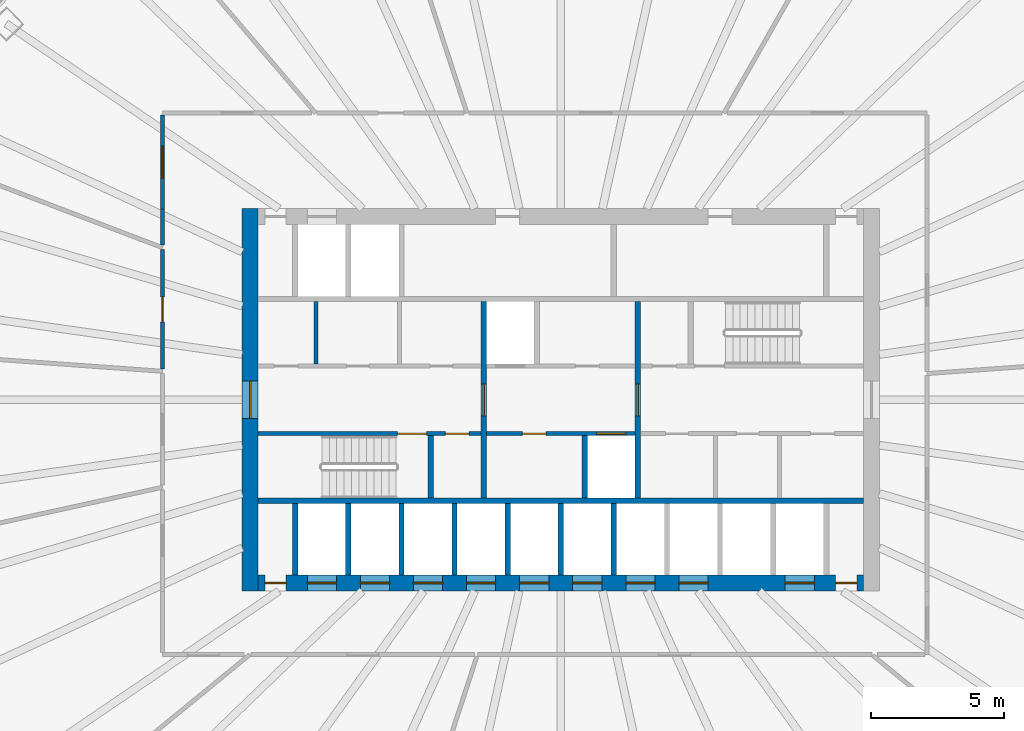
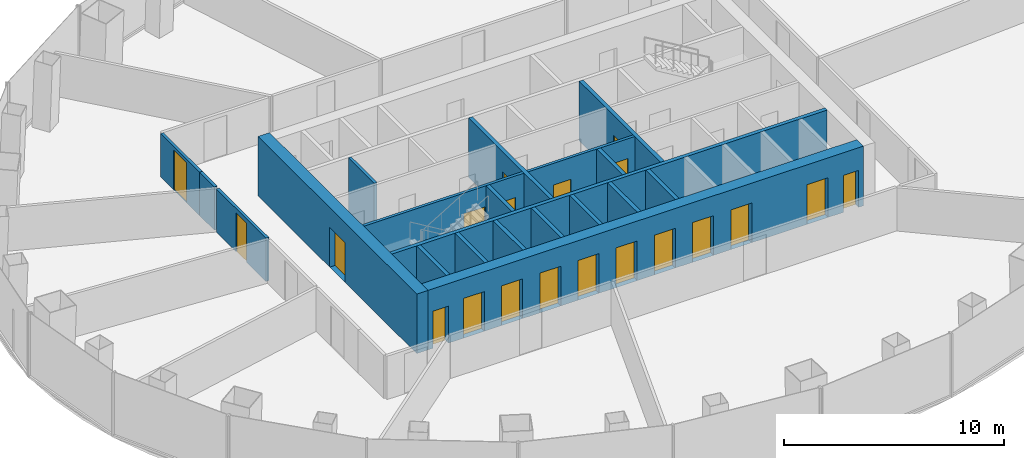
# One storey, part 8 of 11: 20 doors, 20 walls, 20 openings.
"""IFC4 building model written with IfcOpenShell, lengths in metres."""

from ifc_helpers import new_model, si_unit, direction, frame, frame_2d, origin, place, context, subcontext, project, spatial, rectangle, extrude, material, layer, layer_set, type_object, element, fill, save


model = new_model("IFC4")

# Units and contexts
model_context = context("Model", 3, precision=1e-05, world=origin(), true_north=direction((0.0, 1.0)))
body_context = subcontext(model_context, "Body", "Model", "MODEL_VIEW")
ifc_project = project(units=[si_unit("LENGTHUNIT", "METRE"), si_unit("AREAUNIT", "SQUARE_METRE"), si_unit("VOLUMEUNIT", "CUBIC_METRE"), si_unit("PLANEANGLEUNIT", "RADIAN"), si_unit("MASSUNIT", "GRAM", prefix="KILO")], contexts=[model_context])

# Site, building, storey
site_placement = place(None, origin())
site = spatial("IfcSite", under=ifc_project, at=site_placement, CompositionType="ELEMENT")
building_placement = place(site_placement, origin())
building = spatial("IfcBuilding", under=site, at=building_placement, Name="Siaravel Broadcast Tower", CompositionType="ELEMENT")
storey_placement = place(building_placement, frame((0.0, 0.0, 44.5)))
storey = spatial("IfcBuildingStorey", under=building, at=storey_placement, Name="L09", CompositionType="ELEMENT", Elevation=44.5)

# Wall
ifc_material_1 = material(Name="Concrete blockwork", Category="masonry")
ifc_layer_1 = layer(ifc_material_1, 0.14990234375)
ifc_layer_set_1 = layer_set([ifc_layer_1], Name="Concrete blockwork")
wall_type_1 = type_object("IfcWallType", Name="Core partition 150", PredefinedType="PARTITIONING", material=ifc_layer_set_1)
wall_1_placement = place(storey_placement, frame((-9.218994140625, 1.35009765625, 0.0), z_axis=(0.0, 0.0, 1.0), x_axis=(0.0, 1.0, 0.0)))
element("IfcWall", 1, at=wall_1_placement, inside=storey, type_object=wall_type_1, Name="L09 core partition PNW0", PredefinedType="PARTITIONING", context=body_context, shape_type="SweptSolid", body=[
    extrude(rectangle(XDim=2.349853515625, YDim=0.14990234375, at=frame_2d((1.1748046875, 0.0))), origin(), (0.0, 0.0, 1.0), 3.300048828125),
])

# Wall, opening, door
ifc_material_2 = material(Name="Concrete C60/75", Category="concrete")
ifc_layer_2 = layer(ifc_material_2, 0.60009765625)
ifc_layer_set_2 = layer_set([ifc_layer_2], Name="Concrete C60/75")
wall_type_2 = type_object("IfcWallType", Name="Core wall 600", PredefinedType="SHEAR", material=ifc_layer_set_2)
wall_2_placement = place(storey_placement, frame((-11.699951171875, -7.199951171875, 0.0), z_axis=(0.0, 0.0, 1.0), x_axis=(0.0, 1.0, 0.0)))
wall_2 = element("IfcWall", 2, at=wall_2_placement, inside=storey, type_object=wall_type_2, Name="L09 core wall OW", PredefinedType="SHEAR", context=body_context, shape_type="SweptSolid", body=[
    extrude(rectangle(XDim=14.39990234375, YDim=0.60009765625, at=frame_2d((7.199951171875, 0.0))), origin(), (0.0, 0.0, 1.0), 3.300048828125),
])
opening_1_placement = place(wall_2_placement, frame((6.5, 0.0, 0.0)))
opening_1 = element("IfcOpeningElement", 3, at=opening_1_placement, cuts=wall_2, Name="Opening L09-DX-W", PredefinedType="OPENING", context=body_context, shape_type="SweptSolid", body=[
    extrude(rectangle(XDim=1.39990234375, YDim=2.199951171875, at=frame_2d((0.699951171875, 1.10009765625))), frame((0.0, 0.31005859375, 0.0), z_axis=(0.0, -1.0, 0.0), x_axis=(1.0, 0.0, 0.0)), (0.0, 0.0, 1.0), 0.6201171875),
])
ifc_material_3 = material(Name="Steel", Category="steel")
door_type_1 = type_object("IfcDoorType", Name="Core exit door 1400", OperationType="DOUBLE_DOOR_SINGLE_SWING", PredefinedType="DOOR", material=ifc_material_3)
door_1_placement = place(opening_1_placement, origin())
door_1 = element("IfcDoor", 4, at=door_1_placement, inside=storey, type_object=door_type_1, Name="L09 door DX-W", OperationType="DOUBLE_DOOR_SINGLE_SWING", OverallHeight=2.199951171875, OverallWidth=1.39990234375, PredefinedType="DOOR", context=body_context, shape_type="SweptSolid", body=[
    extrude(rectangle(XDim=1.39990234375, YDim=2.199951171875, at=frame_2d((0.699951171875, 1.10009765625))), frame((0.0, 0.02490234375, 0.0), z_axis=(0.0, -1.0, 0.0), x_axis=(1.0, 0.0, 0.0)), (0.0, 0.0, 1.0), 0.050048828125),
])
fill(opening_1, door_1)

# Wall, openings, doors
wall_3_placement = place(storey_placement, frame((-11.39990234375, -6.89990234375, 0.0), z_axis=(0.0, 0.0, 1.0), x_axis=(1.0, 0.0, 0.0)))
wall_3 = element("IfcWall", 5, at=wall_3_placement, inside=storey, type_object=wall_type_2, Name="L09 core wall OS", PredefinedType="SHEAR", context=body_context, shape_type="SweptSolid", body=[
    extrude(rectangle(XDim=22.7998046875, YDim=0.60009765625, at=frame_2d((11.39990234375, 0.0))), origin(), (0.0, 0.0, 1.0), 3.300048828125),
])
opening_2_placement = place(wall_3_placement, frame((1.85009765625, 0.0, 0.0)))
opening_2 = element("IfcOpeningElement", 6, at=opening_2_placement, cuts=wall_3, Name="Opening LD-LP1-L09", PredefinedType="OPENING", context=body_context, shape_type="SweptSolid", body=[
    extrude(rectangle(XDim=1.10009765625, YDim=2.199951171875, at=frame_2d((0.550048828125, 1.10009765625))), frame((0.0, 0.31005859375, 0.0), z_axis=(0.0, -1.0, 0.0), x_axis=(1.0, 0.0, 0.0)), (0.0, 0.0, 1.0), 0.6201171875),
])
opening_3_placement = place(wall_3_placement, frame((3.85009765625, 0.0, 0.0)))
opening_3 = element("IfcOpeningElement", 7, at=opening_3_placement, cuts=wall_3, Name="Opening LD-LP2-L09", PredefinedType="OPENING", context=body_context, shape_type="SweptSolid", body=[
    extrude(rectangle(XDim=1.10009765625, YDim=2.199951171875, at=frame_2d((0.550048828125, 1.10009765625))), frame((0.0, 0.31005859375, 0.0), z_axis=(0.0, -1.0, 0.0), x_axis=(1.0, 0.0, 0.0)), (0.0, 0.0, 1.0), 0.6201171875),
])
opening_4_placement = place(wall_3_placement, frame((5.85009765625, 0.0, 0.0)))
opening_4 = element("IfcOpeningElement", 8, at=opening_4_placement, cuts=wall_3, Name="Opening LD-LP3-L09", PredefinedType="OPENING", context=body_context, shape_type="SweptSolid", body=[
    extrude(rectangle(XDim=1.10009765625, YDim=2.199951171875, at=frame_2d((0.550048828125, 1.10009765625))), frame((0.0, 0.31005859375, 0.0), z_axis=(0.0, -1.0, 0.0), x_axis=(1.0, 0.0, 0.0)), (0.0, 0.0, 1.0), 0.6201171875),
])
opening_5_placement = place(wall_3_placement, frame((7.85009765625, 0.0, 0.0)))
opening_5 = element("IfcOpeningElement", 9, at=opening_5_placement, cuts=wall_3, Name="Opening LD-LP4-L09", PredefinedType="OPENING", context=body_context, shape_type="SweptSolid", body=[
    extrude(rectangle(XDim=1.10009765625, YDim=2.199951171875, at=frame_2d((0.550048828125, 1.10009765625))), frame((0.0, 0.31005859375, 0.0), z_axis=(0.0, -1.0, 0.0), x_axis=(1.0, 0.0, 0.0)), (0.0, 0.0, 1.0), 0.6201171875),
])
opening_6_placement = place(wall_3_placement, frame((9.85009765625, 0.0, 0.0)))
opening_6 = element("IfcOpeningElement", 10, at=opening_6_placement, cuts=wall_3, Name="Opening LD-LP5-L09", PredefinedType="OPENING", context=body_context, shape_type="SweptSolid", body=[
    extrude(rectangle(XDim=1.10009765625, YDim=2.199951171875, at=frame_2d((0.550048828125, 1.10009765625))), frame((0.0, 0.31005859375, 0.0), z_axis=(0.0, -1.0, 0.0), x_axis=(1.0, 0.0, 0.0)), (0.0, 0.0, 1.0), 0.6201171875),
])
opening_7_placement = place(wall_3_placement, frame((11.85009765625, 0.0, 0.0)))
opening_7 = element("IfcOpeningElement", 11, at=opening_7_placement, cuts=wall_3, Name="Opening LD-LP6-L09", PredefinedType="OPENING", context=body_context, shape_type="SweptSolid", body=[
    extrude(rectangle(XDim=1.10009765625, YDim=2.199951171875, at=frame_2d((0.550048828125, 1.10009765625))), frame((0.0, 0.31005859375, 0.0), z_axis=(0.0, -1.0, 0.0), x_axis=(1.0, 0.0, 0.0)), (0.0, 0.0, 1.0), 0.6201171875),
])
opening_8_placement = place(wall_3_placement, frame((13.85009765625, 0.0, 0.0)))
opening_8 = element("IfcOpeningElement", 12, at=opening_8_placement, cuts=wall_3, Name="Opening LD-LP7-L09", PredefinedType="OPENING", context=body_context, shape_type="SweptSolid", body=[
    extrude(rectangle(XDim=1.10009765625, YDim=2.199951171875, at=frame_2d((0.550048828125, 1.10009765625))), frame((0.0, 0.31005859375, 0.0), z_axis=(0.0, -1.0, 0.0), x_axis=(1.0, 0.0, 0.0)), (0.0, 0.0, 1.0), 0.6201171875),
])
opening_9_placement = place(wall_3_placement, frame((15.85009765625, 0.0, 0.0)))
opening_9 = element("IfcOpeningElement", 13, at=opening_9_placement, cuts=wall_3, Name="Opening LD-LP8-L09", PredefinedType="OPENING", context=body_context, shape_type="SweptSolid", body=[
    extrude(rectangle(XDim=1.10009765625, YDim=2.199951171875, at=frame_2d((0.550048828125, 1.10009765625))), frame((0.0, 0.31005859375, 0.0), z_axis=(0.0, -1.0, 0.0), x_axis=(1.0, 0.0, 0.0)), (0.0, 0.0, 1.0), 0.6201171875),
])
opening_10_placement = place(wall_3_placement, frame((19.85009765625, 0.0, 0.0)))
opening_10 = element("IfcOpeningElement", 14, at=opening_10_placement, cuts=wall_3, Name="Opening LD-SV1-L09", PredefinedType="OPENING", context=body_context, shape_type="SweptSolid", body=[
    extrude(rectangle(XDim=1.10009765625, YDim=2.199951171875, at=frame_2d((0.550048828125, 1.10009765625))), frame((0.0, 0.31005859375, 0.0), z_axis=(0.0, -1.0, 0.0), x_axis=(1.0, 0.0, 0.0)), (0.0, 0.0, 1.0), 0.6201171875),
])
opening_11_placement = place(wall_3_placement, frame((0.25, 0.0, 0.0)))
opening_11 = element("IfcOpeningElement", 15, at=opening_11_placement, cuts=wall_3, Name="Opening L09-DRSW", PredefinedType="OPENING", context=body_context, shape_type="SweptSolid", body=[
    extrude(rectangle(XDim=0.800048828125, YDim=2.050048828125, at=frame_2d((0.39990234375, 1.02490234375))), frame((0.0, 0.31005859375, 0.0), z_axis=(0.0, -1.0, 0.0), x_axis=(1.0, 0.0, 0.0)), (0.0, 0.0, 1.0), 0.6201171875),
])
opening_12_placement = place(wall_3_placement, frame((21.75, 0.0, 0.0)))
opening_12 = element("IfcOpeningElement", 16, at=opening_12_placement, cuts=wall_3, Name="Opening L09-DRSE", PredefinedType="OPENING", context=body_context, shape_type="SweptSolid", body=[
    extrude(rectangle(XDim=0.800048828125, YDim=2.050048828125, at=frame_2d((0.39990234375, 1.02490234375))), frame((0.0, 0.31005859375, 0.0), z_axis=(0.0, -1.0, 0.0), x_axis=(1.0, 0.0, 0.0)), (0.0, 0.0, 1.0), 0.6201171875),
])
ifc_material_4 = material(Name="Stainless steel 316L", Category="steel")
door_type_2 = type_object("IfcDoorType", Name="Lift landing door 1100", OperationType="DOUBLE_DOOR_SLIDING", PredefinedType="DOOR", material=ifc_material_4)
door_2_placement = place(opening_2_placement, origin())
door_2 = element("IfcDoor", 17, at=door_2_placement, inside=storey, type_object=door_type_2, Name="Landing door LP1 L09", OperationType="DOUBLE_DOOR_SLIDING", OverallHeight=2.199951171875, OverallWidth=1.10009765625, PredefinedType="DOOR", context=body_context, shape_type="SweptSolid", body=[
    extrude(rectangle(XDim=1.10009765625, YDim=2.199951171875, at=frame_2d((0.550048828125, 1.10009765625))), frame((0.0, 0.02490234375, 0.0), z_axis=(0.0, -1.0, 0.0), x_axis=(1.0, 0.0, 0.0)), (0.0, 0.0, 1.0), 0.050048828125),
])
fill(opening_2, door_2)
door_3_placement = place(opening_3_placement, origin())
door_3 = element("IfcDoor", 18, at=door_3_placement, inside=storey, type_object=door_type_2, Name="Landing door LP2 L09", OperationType="DOUBLE_DOOR_SLIDING", OverallHeight=2.199951171875, OverallWidth=1.10009765625, PredefinedType="DOOR", context=body_context, shape_type="SweptSolid", body=[
    extrude(rectangle(XDim=1.10009765625, YDim=2.199951171875, at=frame_2d((0.550048828125, 1.10009765625))), frame((0.0, 0.02490234375, 0.0), z_axis=(0.0, -1.0, 0.0), x_axis=(1.0, 0.0, 0.0)), (0.0, 0.0, 1.0), 0.050048828125),
])
fill(opening_3, door_3)
door_4_placement = place(opening_4_placement, origin())
door_4 = element("IfcDoor", 19, at=door_4_placement, inside=storey, type_object=door_type_2, Name="Landing door LP3 L09", OperationType="DOUBLE_DOOR_SLIDING", OverallHeight=2.199951171875, OverallWidth=1.10009765625, PredefinedType="DOOR", context=body_context, shape_type="SweptSolid", body=[
    extrude(rectangle(XDim=1.10009765625, YDim=2.199951171875, at=frame_2d((0.550048828125, 1.10009765625))), frame((0.0, 0.02490234375, 0.0), z_axis=(0.0, -1.0, 0.0), x_axis=(1.0, 0.0, 0.0)), (0.0, 0.0, 1.0), 0.050048828125),
])
fill(opening_4, door_4)
door_5_placement = place(opening_5_placement, origin())
door_5 = element("IfcDoor", 20, at=door_5_placement, inside=storey, type_object=door_type_2, Name="Landing door LP4 L09", OperationType="DOUBLE_DOOR_SLIDING", OverallHeight=2.199951171875, OverallWidth=1.10009765625, PredefinedType="DOOR", context=body_context, shape_type="SweptSolid", body=[
    extrude(rectangle(XDim=1.10009765625, YDim=2.199951171875, at=frame_2d((0.550048828125, 1.10009765625))), frame((0.0, 0.02490234375, 0.0), z_axis=(0.0, -1.0, 0.0), x_axis=(1.0, 0.0, 0.0)), (0.0, 0.0, 1.0), 0.050048828125),
])
fill(opening_5, door_5)
door_6_placement = place(opening_6_placement, origin())
door_6 = element("IfcDoor", 21, at=door_6_placement, inside=storey, type_object=door_type_2, Name="Landing door LP5 L09", OperationType="DOUBLE_DOOR_SLIDING", OverallHeight=2.199951171875, OverallWidth=1.10009765625, PredefinedType="DOOR", context=body_context, shape_type="SweptSolid", body=[
    extrude(rectangle(XDim=1.10009765625, YDim=2.199951171875, at=frame_2d((0.550048828125, 1.10009765625))), frame((0.0, 0.02490234375, 0.0), z_axis=(0.0, -1.0, 0.0), x_axis=(1.0, 0.0, 0.0)), (0.0, 0.0, 1.0), 0.050048828125),
])
fill(opening_6, door_6)
door_7_placement = place(opening_7_placement, origin())
door_7 = element("IfcDoor", 22, at=door_7_placement, inside=storey, type_object=door_type_2, Name="Landing door LP6 L09", OperationType="DOUBLE_DOOR_SLIDING", OverallHeight=2.199951171875, OverallWidth=1.10009765625, PredefinedType="DOOR", context=body_context, shape_type="SweptSolid", body=[
    extrude(rectangle(XDim=1.10009765625, YDim=2.199951171875, at=frame_2d((0.550048828125, 1.10009765625))), frame((0.0, 0.02490234375, 0.0), z_axis=(0.0, -1.0, 0.0), x_axis=(1.0, 0.0, 0.0)), (0.0, 0.0, 1.0), 0.050048828125),
])
fill(opening_7, door_7)
door_8_placement = place(opening_8_placement, origin())
door_8 = element("IfcDoor", 23, at=door_8_placement, inside=storey, type_object=door_type_2, Name="Landing door LP7 L09", OperationType="DOUBLE_DOOR_SLIDING", OverallHeight=2.199951171875, OverallWidth=1.10009765625, PredefinedType="DOOR", context=body_context, shape_type="SweptSolid", body=[
    extrude(rectangle(XDim=1.10009765625, YDim=2.199951171875, at=frame_2d((0.550048828125, 1.10009765625))), frame((0.0, 0.02490234375, 0.0), z_axis=(0.0, -1.0, 0.0), x_axis=(1.0, 0.0, 0.0)), (0.0, 0.0, 1.0), 0.050048828125),
])
fill(opening_8, door_8)
door_9_placement = place(opening_9_placement, origin())
door_9 = element("IfcDoor", 24, at=door_9_placement, inside=storey, type_object=door_type_2, Name="Landing door LP8 L09", OperationType="DOUBLE_DOOR_SLIDING", OverallHeight=2.199951171875, OverallWidth=1.10009765625, PredefinedType="DOOR", context=body_context, shape_type="SweptSolid", body=[
    extrude(rectangle(XDim=1.10009765625, YDim=2.199951171875, at=frame_2d((0.550048828125, 1.10009765625))), frame((0.0, 0.02490234375, 0.0), z_axis=(0.0, -1.0, 0.0), x_axis=(1.0, 0.0, 0.0)), (0.0, 0.0, 1.0), 0.050048828125),
])
fill(opening_9, door_9)
door_type_3 = type_object("IfcDoorType", Name="Riser door 800", OperationType="SINGLE_SWING_LEFT", PredefinedType="DOOR", material=ifc_material_3)
door_10_placement = place(opening_11_placement, origin())
door_10 = element("IfcDoor", 25, at=door_10_placement, inside=storey, type_object=door_type_3, Name="L09 door DRSW", OperationType="SINGLE_SWING_LEFT", OverallHeight=2.050048828125, OverallWidth=0.800048828125, PredefinedType="DOOR", context=body_context, shape_type="SweptSolid", body=[
    extrude(rectangle(XDim=0.800048828125, YDim=2.050048828125, at=frame_2d((0.39990234375, 1.02490234375))), frame((0.0, 0.02490234375, 0.0), z_axis=(0.0, -1.0, 0.0), x_axis=(1.0, 0.0, 0.0)), (0.0, 0.0, 1.0), 0.050048828125),
])
fill(opening_11, door_10)
door_11_placement = place(opening_12_placement, origin())
door_11 = element("IfcDoor", 26, at=door_11_placement, inside=storey, type_object=door_type_3, Name="L09 door DRSE", OperationType="SINGLE_SWING_LEFT", OverallHeight=2.050048828125, OverallWidth=0.800048828125, PredefinedType="DOOR", context=body_context, shape_type="SweptSolid", body=[
    extrude(rectangle(XDim=0.800048828125, YDim=2.050048828125, at=frame_2d((0.39990234375, 1.02490234375))), frame((0.0, 0.02490234375, 0.0), z_axis=(0.0, -1.0, 0.0), x_axis=(1.0, 0.0, 0.0)), (0.0, 0.0, 1.0), 0.050048828125),
])
fill(opening_12, door_11)
door_type_4 = type_object("IfcDoorType", Name="Service lift landing door 1100", OperationType="DOUBLE_DOOR_SLIDING", PredefinedType="DOOR", material=ifc_material_4)
door_12_placement = place(opening_10_placement, origin())
door_12 = element("IfcDoor", 27, at=door_12_placement, inside=storey, type_object=door_type_4, Name="Landing door SV1 L09", OperationType="DOUBLE_DOOR_SLIDING", OverallHeight=2.199951171875, OverallWidth=1.10009765625, PredefinedType="DOOR", context=body_context, shape_type="SweptSolid", body=[
    extrude(rectangle(XDim=1.10009765625, YDim=2.199951171875, at=frame_2d((0.550048828125, 1.10009765625))), frame((0.0, 0.02490234375, 0.0), z_axis=(0.0, -1.0, 0.0), x_axis=(1.0, 0.0, 0.0)), (0.0, 0.0, 1.0), 0.050048828125),
])
fill(opening_10, door_12)

# Wall, opening, door
ifc_material_5 = material(Name="Gypsum board partition", Category="gypsum")
ifc_layer_3 = layer(ifc_material_5, 0.14990234375)
ifc_layer_set_3 = layer_set([ifc_layer_3], Name="Gypsum board partition")
wall_type_3 = type_object("IfcWallType", Name="Corridor wall 150", PredefinedType="PARTITIONING", material=ifc_layer_set_3)
wall_4_placement = place(storey_placement, frame((-15.0, 5.6572265625, 0.0), z_axis=(0.0, 0.0, 1.0), x_axis=(0.0, -1.0, 0.0)))
wall_4 = element("IfcWall", 28, at=wall_4_placement, inside=storey, type_object=wall_type_3, Name="L09 partition 19", PredefinedType="PARTITIONING", context=body_context, shape_type="SweptSolid", body=[
    extrude(rectangle(XDim=4.499755859375, YDim=0.14990234375, at=frame_2d((2.25, 0.0))), origin(), (0.0, 0.0, 1.0), 2.39990234375),
])
opening_13_placement = place(wall_4_placement, frame((1.77490234375, 0.0, 0.0)))
opening_13 = element("IfcOpeningElement", 29, at=opening_13_placement, cuts=wall_4, Name="Opening L09-009", PredefinedType="OPENING", context=body_context, shape_type="SweptSolid", body=[
    extrude(rectangle(XDim=0.949951171875, YDim=2.14990234375, at=frame_2d((0.47509765625, 1.074951171875))), frame((0.0, 0.0849609375, 0.0), z_axis=(0.0, -1.0, 0.0), x_axis=(1.0, 0.0, 0.0)), (0.0, 0.0, 1.0), 0.169921875),
])
ifc_material_6 = material(Name="Timber veneer", Category="wood")
door_type_5 = type_object("IfcDoorType", Name="Office door 950", OperationType="SINGLE_SWING_LEFT", PredefinedType="DOOR", material=ifc_material_6)
door_13_placement = place(opening_13_placement, origin())
door_13 = element("IfcDoor", 30, at=door_13_placement, inside=storey, type_object=door_type_5, Name="L09 door to Graphics studio", OperationType="SINGLE_SWING_LEFT", OverallHeight=2.14990234375, OverallWidth=0.949951171875, PredefinedType="DOOR", context=body_context, shape_type="SweptSolid", body=[
    extrude(rectangle(XDim=0.949951171875, YDim=2.14990234375, at=frame_2d((0.47509765625, 1.074951171875))), frame((0.0, 0.02490234375, 0.0), z_axis=(0.0, -1.0, 0.0), x_axis=(1.0, 0.0, 0.0)), (0.0, 0.0, 1.0), 0.050048828125),
])
fill(opening_13, door_13)

wall_5_placement = place(storey_placement, frame((-15.0, 10.722900390625, 0.0), z_axis=(0.0, 0.0, 1.0), x_axis=(0.0, -1.0, 0.0)))
wall_5 = element("IfcWall", 31, at=wall_5_placement, inside=storey, type_object=wall_type_3, Name="L09 partition 22", PredefinedType="PARTITIONING", context=body_context, shape_type="SweptSolid", body=[
    extrude(rectangle(XDim=3.534912109375, YDim=0.14990234375, at=frame_2d((1.767578125, 0.0))), origin(), (0.0, 0.0, 1.0), 2.39990234375),
])
opening_14_placement = place(wall_5_placement, frame((1.16748046875, 0.0, 0.0)))
opening_14 = element("IfcOpeningElement", 32, at=opening_14_placement, cuts=wall_5, Name="Opening L09-008", PredefinedType="OPENING", context=body_context, shape_type="SweptSolid", body=[
    extrude(rectangle(XDim=1.199951171875, YDim=2.199951171875, at=frame_2d((0.60009765625, 1.10009765625))), frame((0.0, 0.0849609375, 0.0), z_axis=(0.0, -1.0, 0.0), x_axis=(1.0, 0.0, 0.0)), (0.0, 0.0, 1.0), 0.169921875),
])
door_type_6 = type_object("IfcDoorType", Name="Office double door 1200", OperationType="DOUBLE_DOOR_SINGLE_SWING", PredefinedType="DOOR", material=ifc_material_6)
door_14_placement = place(opening_14_placement, origin())
door_14 = element("IfcDoor", 33, at=door_14_placement, inside=storey, type_object=door_type_6, Name="L09 door to Open plan newsroom", OperationType="DOUBLE_DOOR_SINGLE_SWING", OverallHeight=2.199951171875, OverallWidth=1.199951171875, PredefinedType="DOOR", context=body_context, shape_type="SweptSolid", body=[
    extrude(rectangle(XDim=1.199951171875, YDim=2.199951171875, at=frame_2d((0.60009765625, 1.10009765625))), frame((0.0, 0.02490234375, 0.0), z_axis=(0.0, -1.0, 0.0), x_axis=(1.0, 0.0, 0.0)), (0.0, 0.0, 1.0), 0.050048828125),
])
fill(opening_14, door_14)

# Wall
wall_6_placement = place(storey_placement, frame((-15.0, 7.18701171875, 0.0), z_axis=(0.0, 0.0, 1.0), x_axis=(0.0, -1.0, 0.0)))
element("IfcWall", 34, at=wall_6_placement, inside=storey, type_object=wall_type_3, Name="L09 partition 28", PredefinedType="PARTITIONING", context=body_context, shape_type="SweptSolid", body=[
    extrude(rectangle(XDim=1.3466796875, YDim=0.14990234375, at=frame_2d((0.67333984375, 0.0))), origin(), (0.0, 0.0, 1.0), 2.39990234375),
])

# Wall, openings, doors
ifc_layer_4 = layer(ifc_material_2, 0.14990234375)
ifc_layer_set_4 = layer_set([ifc_layer_4], Name="Concrete C60/75")
wall_type_4 = type_object("IfcWallType", Name="Shaft wall 150", PredefinedType="SHEAR", material=ifc_layer_set_4)
wall_7_placement = place(storey_placement, frame((-11.39990234375, -1.27490234375, 0.0), z_axis=(0.0, 0.0, 1.0), x_axis=(1.0, 0.0, 0.0)))
wall_7 = element("IfcWall", 35, at=wall_7_placement, inside=storey, type_object=wall_type_4, Name="L09 core wall CSW", PredefinedType="SHEAR", context=body_context, shape_type="SweptSolid", body=[
    extrude(rectangle(XDim=8.39990234375, YDim=0.14990234375, at=frame_2d((4.199951171875, 0.0))), origin(), (0.0, 0.0, 1.0), 3.300048828125),
])
opening_15_placement = place(wall_7_placement, frame((5.25, 0.0, 0.0)))
opening_15 = element("IfcOpeningElement", 36, at=opening_15_placement, cuts=wall_7, Name="Opening L09-DS-1", PredefinedType="OPENING", context=body_context, shape_type="SweptSolid", body=[
    extrude(rectangle(XDim=1.10009765625, YDim=2.14990234375, at=frame_2d((0.550048828125, 1.074951171875))), frame((0.0, 0.0849609375, 0.0), z_axis=(0.0, -1.0, 0.0), x_axis=(1.0, 0.0, 0.0)), (0.0, 0.0, 1.0), 0.169921875),
])
opening_16_placement = place(wall_7_placement, frame((7.050048828125, 0.0, 0.0)))
opening_16 = element("IfcOpeningElement", 37, at=opening_16_placement, cuts=wall_7, Name="Opening L09-DSW0", PredefinedType="OPENING", context=body_context, shape_type="SweptSolid", body=[
    extrude(rectangle(XDim=0.89990234375, YDim=2.10009765625, at=frame_2d((0.449951171875, 1.050048828125))), frame((0.0, 0.0849609375, 0.0), z_axis=(0.0, -1.0, 0.0), x_axis=(1.0, 0.0, 0.0)), (0.0, 0.0, 1.0), 0.169921875),
])
door_type_7 = type_object("IfcDoorType", Name="Core room door 900", OperationType="SINGLE_SWING_LEFT", PredefinedType="DOOR", material=ifc_material_6)
door_15_placement = place(opening_16_placement, origin())
door_15 = element("IfcDoor", 38, at=door_15_placement, inside=storey, type_object=door_type_7, Name="L09 door DSW0", OperationType="SINGLE_SWING_LEFT", OverallHeight=2.10009765625, OverallWidth=0.89990234375, PredefinedType="DOOR", context=body_context, shape_type="SweptSolid", body=[
    extrude(rectangle(XDim=0.89990234375, YDim=2.10009765625, at=frame_2d((0.449951171875, 1.050048828125))), frame((0.0, 0.02490234375, 0.0), z_axis=(0.0, -1.0, 0.0), x_axis=(1.0, 0.0, 0.0)), (0.0, 0.0, 1.0), 0.050048828125),
])
fill(opening_16, door_15)
door_type_8 = type_object("IfcDoorType", Name="Stair door 1100", OperationType="SINGLE_SWING_LEFT", PredefinedType="DOOR", material=ifc_material_3)
door_16_placement = place(opening_15_placement, origin())
door_16 = element("IfcDoor", 39, at=door_16_placement, inside=storey, type_object=door_type_8, Name="L09 door DS-1", OperationType="SINGLE_SWING_LEFT", OverallHeight=2.14990234375, OverallWidth=1.10009765625, PredefinedType="DOOR", context=body_context, shape_type="SweptSolid", body=[
    extrude(rectangle(XDim=1.10009765625, YDim=2.14990234375, at=frame_2d((0.550048828125, 1.074951171875))), frame((0.0, 0.02490234375, 0.0), z_axis=(0.0, -1.0, 0.0), x_axis=(1.0, 0.0, 0.0)), (0.0, 0.0, 1.0), 0.050048828125),
])
fill(opening_15, door_16)

wall_8_placement = place(storey_placement, frame((-2.800048828125, -1.27490234375, 0.0), z_axis=(0.0, 0.0, 1.0), x_axis=(1.0, 0.0, 0.0)))
wall_8 = element("IfcWall", 40, at=wall_8_placement, inside=storey, type_object=wall_type_4, Name="L09 core wall CSM", PredefinedType="SHEAR", context=body_context, shape_type="SweptSolid", body=[
    extrude(rectangle(XDim=5.60009765625, YDim=0.14990234375, at=frame_2d((2.800048828125, 0.0))), origin(), (0.0, 0.0, 1.0), 3.300048828125),
])
opening_17_placement = place(wall_8_placement, frame((4.14990234375, 0.0, 0.0)))
opening_17 = element("IfcOpeningElement", 41, at=opening_17_placement, cuts=wall_8, Name="Opening LD-FL2-L09", PredefinedType="OPENING", context=body_context, shape_type="SweptSolid", body=[
    extrude(rectangle(XDim=1.10009765625, YDim=2.199951171875, at=frame_2d((0.550048828125, 1.10009765625))), frame((0.0, 0.0849609375, 0.0), z_axis=(0.0, -1.0, 0.0), x_axis=(1.0, 0.0, 0.0)), (0.0, 0.0, 1.0), 0.169921875),
])
opening_18_placement = place(wall_8_placement, frame((1.35009765625, 0.0, 0.0)))
opening_18 = element("IfcOpeningElement", 42, at=opening_18_placement, cuts=wall_8, Name="Opening L09-DSM0", PredefinedType="OPENING", context=body_context, shape_type="SweptSolid", body=[
    extrude(rectangle(XDim=0.89990234375, YDim=2.10009765625, at=frame_2d((0.449951171875, 1.050048828125))), frame((0.0, 0.0849609375, 0.0), z_axis=(0.0, -1.0, 0.0), x_axis=(1.0, 0.0, 0.0)), (0.0, 0.0, 1.0), 0.169921875),
])
door_17_placement = place(opening_18_placement, origin())
door_17 = element("IfcDoor", 43, at=door_17_placement, inside=storey, type_object=door_type_7, Name="L09 door DSM0", OperationType="SINGLE_SWING_LEFT", OverallHeight=2.10009765625, OverallWidth=0.89990234375, PredefinedType="DOOR", context=body_context, shape_type="SweptSolid", body=[
    extrude(rectangle(XDim=0.89990234375, YDim=2.10009765625, at=frame_2d((0.449951171875, 1.050048828125))), frame((0.0, 0.02490234375, 0.0), z_axis=(0.0, -1.0, 0.0), x_axis=(1.0, 0.0, 0.0)), (0.0, 0.0, 1.0), 0.050048828125),
])
fill(opening_18, door_17)
door_type_9 = type_object("IfcDoorType", Name="Firefighting lift landing door 1100", OperationType="DOUBLE_DOOR_SLIDING", PredefinedType="DOOR", material=ifc_material_4)
door_18_placement = place(opening_17_placement, origin())
door_18 = element("IfcDoor", 44, at=door_18_placement, inside=storey, type_object=door_type_9, Name="Landing door FL2 L09", OperationType="DOUBLE_DOOR_SLIDING", OverallHeight=2.199951171875, OverallWidth=1.10009765625, PredefinedType="DOOR", context=body_context, shape_type="SweptSolid", body=[
    extrude(rectangle(XDim=1.10009765625, YDim=2.199951171875, at=frame_2d((0.550048828125, 1.10009765625))), frame((0.0, 0.02490234375, 0.0), z_axis=(0.0, -1.0, 0.0), x_axis=(1.0, 0.0, 0.0)), (0.0, 0.0, 1.0), 0.050048828125),
])
fill(opening_17, door_18)

# Walls
ifc_layer_5 = layer(ifc_material_2, 0.199951171875)
ifc_layer_set_5 = layer_set([ifc_layer_5], Name="Concrete C60/75")
wall_type_5 = type_object("IfcWallType", Name="Shaft wall 200", PredefinedType="SHEAR", material=ifc_layer_set_5)
wall_9_placement = place(storey_placement, frame((-11.39990234375, -3.800048828125, 0.0), z_axis=(0.0, 0.0, 1.0), x_axis=(1.0, 0.0, 0.0)))
element("IfcWall", 45, at=wall_9_placement, inside=storey, type_object=wall_type_5, Name="L09 core wall BS", PredefinedType="SHEAR", context=body_context, shape_type="SweptSolid", body=[
    extrude(rectangle(XDim=22.7998046875, YDim=0.199951171875, at=frame_2d((11.39990234375, 0.0))), origin(), (0.0, 0.0, 1.0), 3.300048828125),
])
for number, where, z_axis, x_axis, name in (
    (46, (-10.0, -6.60009765625, 0.0), (0.0, 0.0, 1.0), (0.0, 1.0, 0.0), "L09 core wall SWS0"),
    (47, (-8.0, -6.60009765625, 0.0), (0.0, 0.0, 1.0), (0.0, 1.0, 0.0), "L09 core wall SWS1"),
    (48, (-6.0, -6.60009765625, 0.0), (0.0, 0.0, 1.0), (0.0, 1.0, 0.0), "L09 core wall SWS2"),
    (49, (-4.0, -6.60009765625, 0.0), (0.0, 0.0, 1.0), (0.0, 1.0, 0.0), "L09 core wall SWS3"),
    (50, (-2.0, -6.60009765625, 0.0), (0.0, 0.0, 1.0), (0.0, 1.0, 0.0), "L09 core wall SWS4"),
    (51, (0.0, -6.60009765625, 0.0), (0.0, 0.0, 1.0), (0.0, 1.0, 0.0), "L09 core wall SWS5"),
    (52, (2.0, -6.60009765625, 0.0), (0.0, 0.0, 1.0), (0.0, 1.0, 0.0), "L09 core wall SWS6"),
):
    element("IfcWall", number, at=place(storey_placement, frame(where, z_axis=z_axis, x_axis=x_axis)), inside=storey, type_object=wall_type_5, Name=name, PredefinedType="SHEAR", context=body_context, shape_type="SweptSolid", body=[
        extrude(rectangle(XDim=2.7001953125, YDim=0.199951171875, at=frame_2d((1.35009765625, 0.0))), origin(), (0.0, 0.0, 1.0), 3.300048828125),
    ])

# Wall, opening, door
wall_10_placement = place(storey_placement, frame((-2.89990234375, -3.699951171875, 0.0), z_axis=(0.0, 0.0, 1.0), x_axis=(0.0, 1.0, 0.0)))
wall_10 = element("IfcWall", 53, at=wall_10_placement, inside=storey, type_object=wall_type_5, Name="L09 core wall LW", PredefinedType="SHEAR", context=body_context, shape_type="SweptSolid", body=[
    extrude(rectangle(XDim=7.39990234375, YDim=0.199951171875, at=frame_2d((3.699951171875, 0.0))), origin(), (0.0, 0.0, 1.0), 3.300048828125),
])
opening_19_placement = place(wall_10_placement, frame((3.10009765625, 0.0, 0.0)))
opening_19 = element("IfcOpeningElement", 54, at=opening_19_placement, cuts=wall_10, Name="Opening L09-DL-W", PredefinedType="OPENING", context=body_context, shape_type="SweptSolid", body=[
    extrude(rectangle(XDim=1.199951171875, YDim=2.199951171875, at=frame_2d((0.60009765625, 1.10009765625))), frame((0.0, 0.10986328125, 0.0), z_axis=(0.0, -1.0, 0.0), x_axis=(1.0, 0.0, 0.0)), (0.0, 0.0, 1.0), 0.219970703125),
])
door_type_10 = type_object("IfcDoorType", Name="Firefighting lobby door 1200", OperationType="SINGLE_SWING_LEFT", PredefinedType="DOOR", material=ifc_material_3)
door_19_placement = place(opening_19_placement, origin())
door_19 = element("IfcDoor", 55, at=door_19_placement, inside=storey, type_object=door_type_10, Name="L09 door DL-W", OperationType="SINGLE_SWING_LEFT", OverallHeight=2.199951171875, OverallWidth=1.199951171875, PredefinedType="DOOR", context=body_context, shape_type="SweptSolid", body=[
    extrude(rectangle(XDim=1.199951171875, YDim=2.199951171875, at=frame_2d((0.60009765625, 1.10009765625))), frame((0.0, 0.02490234375, 0.0), z_axis=(0.0, -1.0, 0.0), x_axis=(1.0, 0.0, 0.0)), (0.0, 0.0, 1.0), 0.050048828125),
])
fill(opening_19, door_19)

wall_11_placement = place(storey_placement, frame((2.89990234375, -3.699951171875, 0.0), z_axis=(0.0, 0.0, 1.0), x_axis=(0.0, 1.0, 0.0)))
wall_11 = element("IfcWall", 56, at=wall_11_placement, inside=storey, type_object=wall_type_5, Name="L09 core wall LE", PredefinedType="SHEAR", context=body_context, shape_type="SweptSolid", body=[
    extrude(rectangle(XDim=7.39990234375, YDim=0.199951171875, at=frame_2d((3.699951171875, 0.0))), origin(), (0.0, 0.0, 1.0), 3.300048828125),
])
opening_20_placement = place(wall_11_placement, frame((3.10009765625, 0.0, 0.0)))
opening_20 = element("IfcOpeningElement", 57, at=opening_20_placement, cuts=wall_11, Name="Opening L09-DL-E", PredefinedType="OPENING", context=body_context, shape_type="SweptSolid", body=[
    extrude(rectangle(XDim=1.199951171875, YDim=2.199951171875, at=frame_2d((0.60009765625, 1.10009765625))), frame((0.0, 0.10986328125, 0.0), z_axis=(0.0, -1.0, 0.0), x_axis=(1.0, 0.0, 0.0)), (0.0, 0.0, 1.0), 0.219970703125),
])
door_20_placement = place(opening_20_placement, origin())
door_20 = element("IfcDoor", 58, at=door_20_placement, inside=storey, type_object=door_type_10, Name="L09 door DL-E", OperationType="SINGLE_SWING_LEFT", OverallHeight=2.199951171875, OverallWidth=1.199951171875, PredefinedType="DOOR", context=body_context, shape_type="SweptSolid", body=[
    extrude(rectangle(XDim=1.199951171875, YDim=2.199951171875, at=frame_2d((0.60009765625, 1.10009765625))), frame((0.0, 0.02490234375, 0.0), z_axis=(0.0, -1.0, 0.0), x_axis=(1.0, 0.0, 0.0)), (0.0, 0.0, 1.0), 0.050048828125),
])
fill(opening_20, door_20)

# Walls
for number, where, z_axis, x_axis, name in (
    (59, (0.89990234375, -3.699951171875, 0.0), (0.0, 0.0, 1.0), (0.0, 1.0, 0.0), "L09 core wall FF2W"),
    (60, (-4.89990234375, -3.699951171875, 0.0), (0.0, 0.0, 1.0), (0.0, 1.0, 0.0), "L09 core wall ST1E"),
):
    element("IfcWall", number, at=place(storey_placement, frame(where, z_axis=z_axis, x_axis=x_axis)), inside=storey, type_object=wall_type_5, Name=name, PredefinedType="SHEAR", context=body_context, shape_type="SweptSolid", body=[
        extrude(rectangle(XDim=2.349853515625, YDim=0.199951171875, at=frame_2d((1.1748046875, 0.0))), origin(), (0.0, 0.0, 1.0), 3.300048828125),
    ])

save(model, "model.ifc")
